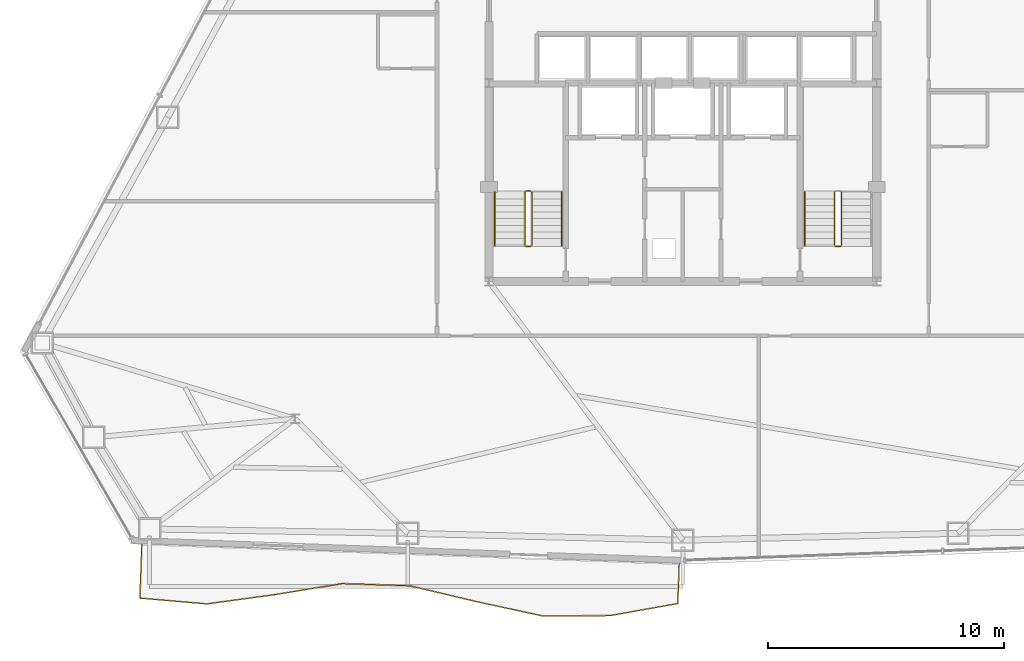
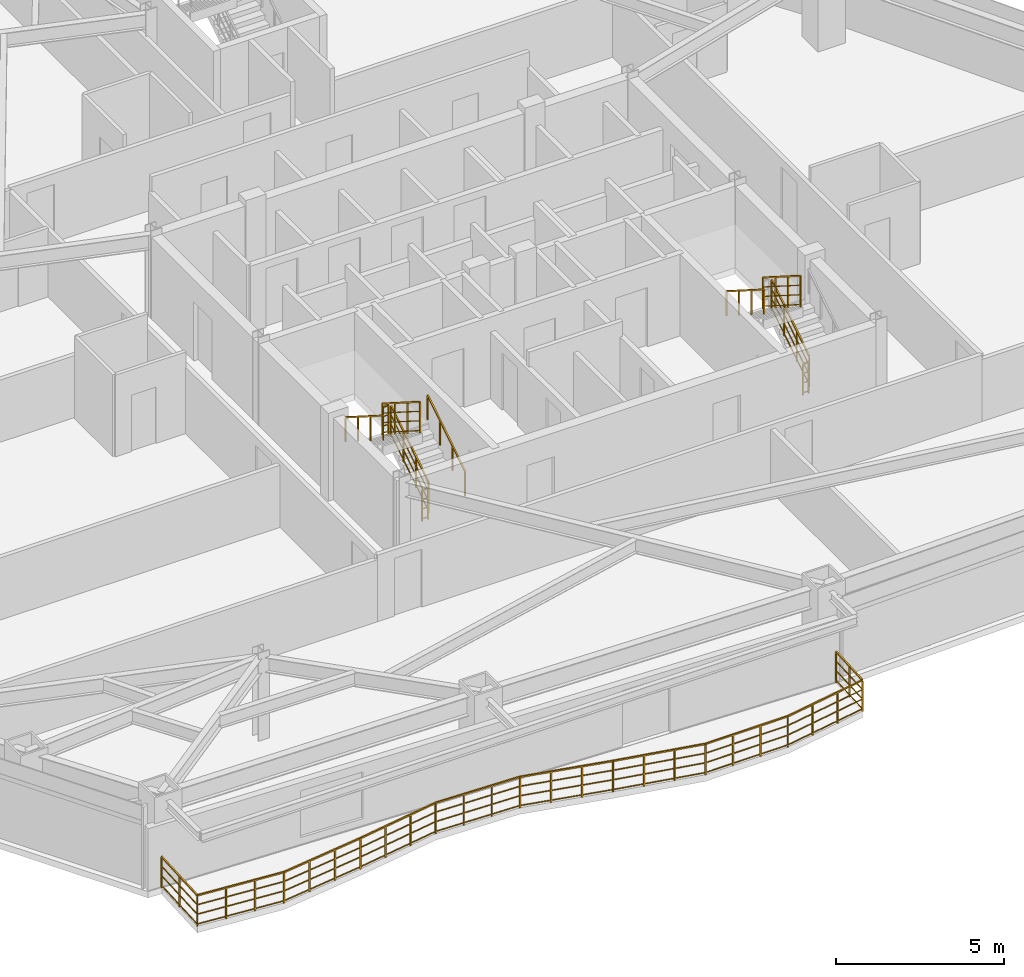
# One storey, part 12 of 13: 20 railings.
"""IFC4 building model written with IfcOpenShell, lengths in metres."""

from ifc_helpers import new_model, si_unit, direction, frame, origin, origin_2d, place, context, subcontext, project, spatial, rectangle, extrude, material, type_object, element, save


model = new_model("IFC4")

# Units and contexts
model_context = context("Model", 3, precision=1e-05, world=origin(), true_north=direction((0.0, 1.0)))
body_context = subcontext(model_context, "Body", "Model", "MODEL_VIEW")
ifc_project = project(units=[si_unit("LENGTHUNIT", "METRE"), si_unit("AREAUNIT", "SQUARE_METRE"), si_unit("VOLUMEUNIT", "CUBIC_METRE"), si_unit("PLANEANGLEUNIT", "RADIAN"), si_unit("MASSUNIT", "GRAM", prefix="KILO")], contexts=[model_context])

# Site, building, storey
site_placement = place(None, origin())
site = spatial("IfcSite", under=ifc_project, at=site_placement, CompositionType="ELEMENT")
building_placement = place(site_placement, origin())
building = spatial("IfcBuilding", under=site, at=building_placement, Name="Varakhsha Concourse Tower", CompositionType="ELEMENT")
storey_placement = place(building_placement, frame((0.0, 0.0, 95.800048828125)))
storey = spatial("IfcBuildingStorey", under=building, at=storey_placement, Name="L27", CompositionType="ELEMENT", Elevation=95.800048828125)

# Railings
ifc_material_1 = material(Name="Laminated Structural Low-Iron Glass 52 mm", Category="glass")
railing_type_1 = type_object("IfcRailingType", Name="RL-BALUSTRADE-1150", PredefinedType="BALUSTRADE", material=ifc_material_1)
railing_1_placement = place(storey_placement, frame((17.114013671875, 5.28369140625, 0.0)))
element("IfcRailing", 1, at=railing_1_placement, inside=storey, type_object=railing_type_1, Name="L27 Perimeter Safety Balustrade RL-LOG-L27-01", PredefinedType="BALUSTRADE", context=body_context, shape_type="SweptSolid", body=[
    extrude(rectangle(XDim=0.048095703125, YDim=0.048095703125, at=origin_2d()), frame((0.0, 0.0, 1.1259765625), z_axis=(-0.036499457381, -0.99933367281, 0.0), x_axis=(0.99933367281, -0.036499457381, 0.0)), (0.0, 0.0, 1.0), 2.274169921875),
    extrude(rectangle(XDim=0.028076171875, YDim=0.028076171875, at=origin_2d()), frame((0.0, 0.0, 0.080078125), z_axis=(-0.036499457381, -0.99933367281, 0.0), x_axis=(0.99933367281, -0.036499457381, 0.0)), (0.0, 0.0, 1.0), 2.274169921875),
    extrude(rectangle(XDim=0.028076171875, YDim=0.028076171875, at=origin_2d()), frame((0.0, 0.0, 0.43701171875), z_axis=(-0.036499457381, -0.99933367281, 0.0), x_axis=(0.99933367281, -0.036499457381, 0.0)), (0.0, 0.0, 1.0), 2.274169921875),
    extrude(rectangle(XDim=0.028076171875, YDim=0.028076171875, at=origin_2d()), frame((0.0, 0.0, 0.781982421875), z_axis=(-0.036499457381, -0.99933367281, 0.0), x_axis=(0.99933367281, -0.036499457381, 0.0)), (0.0, 0.0, 1.0), 2.274169921875),
    extrude(rectangle(XDim=0.0419921875, YDim=0.0419921875, at=origin_2d()), origin(), (0.0, 0.0, 1.0), 1.101806640625),
    extrude(rectangle(XDim=0.0419921875, YDim=0.0419921875, at=origin_2d()), frame((-0.04150390625, -1.13623046875, 0.0)), (0.0, 0.0, 1.0), 1.101806640625),
    extrude(rectangle(XDim=0.0419921875, YDim=0.0419921875, at=origin_2d()), frame((-0.0830078125, -2.272705078125, 0.0)), (0.0, 0.0, 1.0), 1.101806640625),
])
railing_2_placement = place(storey_placement, frame((17.031005859375, 3.010986328125, 0.0)))
element("IfcRailing", 2, at=railing_2_placement, inside=storey, type_object=railing_type_1, Name="L27 Perimeter Safety Balustrade RL-LOG-L27-02", PredefinedType="BALUSTRADE", context=body_context, shape_type="SweptSolid", body=[
    extrude(rectangle(XDim=0.048095703125, YDim=0.048095703125, at=origin_2d()), frame((0.0, 0.0, 1.1259765625), z_axis=(0.996243804592, -0.086592619848, 0.0), x_axis=(0.086592619848, 0.996243804592, 0.0)), (0.0, 0.0, 1.0), 2.84765625),
    extrude(rectangle(XDim=0.028076171875, YDim=0.028076171875, at=origin_2d()), frame((0.0, 0.0, 0.080078125), z_axis=(0.996243804592, -0.086592619848, 0.0), x_axis=(0.086592619848, 0.996243804592, 0.0)), (0.0, 0.0, 1.0), 2.84765625),
    extrude(rectangle(XDim=0.028076171875, YDim=0.028076171875, at=origin_2d()), frame((0.0, 0.0, 0.43701171875), z_axis=(0.996243804592, -0.086592619848, 0.0), x_axis=(0.086592619848, 0.996243804592, 0.0)), (0.0, 0.0, 1.0), 2.84765625),
    extrude(rectangle(XDim=0.028076171875, YDim=0.028076171875, at=origin_2d()), frame((0.0, 0.0, 0.781982421875), z_axis=(0.996243804592, -0.086592619848, 0.0), x_axis=(0.086592619848, 0.996243804592, 0.0)), (0.0, 0.0, 1.0), 2.84765625),
    extrude(rectangle(XDim=0.0419921875, YDim=0.0419921875, at=origin_2d()), origin(), (0.0, 0.0, 1.0), 1.101806640625),
    extrude(rectangle(XDim=0.0419921875, YDim=0.0419921875, at=origin_2d()), frame((0.945556640625, -0.082275390625, 0.0)), (0.0, 0.0, 1.0), 1.101806640625),
    extrude(rectangle(XDim=0.0419921875, YDim=0.0419921875, at=origin_2d()), frame((1.891357421875, -0.164306640625, 0.0)), (0.0, 0.0, 1.0), 1.101806640625),
    extrude(rectangle(XDim=0.0419921875, YDim=0.0419921875, at=origin_2d()), frame((2.8369140625, -0.24658203125, 0.0)), (0.0, 0.0, 1.0), 1.101806640625),
])
railing_3_placement = place(storey_placement, frame((19.867919921875, 2.764404296875, 0.0)))
element("IfcRailing", 3, at=railing_3_placement, inside=storey, type_object=railing_type_1, Name="L27 Perimeter Safety Balustrade RL-LOG-L27-03", PredefinedType="BALUSTRADE", context=body_context, shape_type="SweptSolid", body=[
    extrude(rectangle(XDim=0.048095703125, YDim=0.048095703125, at=origin_2d()), frame((0.0, 0.0, 1.1259765625), z_axis=(0.990834285336, 0.135083007827, 0.0), x_axis=(-0.135083007827, 0.990834285336, 0.0)), (0.0, 0.0, 1.0), 2.88623046875),
    extrude(rectangle(XDim=0.028076171875, YDim=0.028076171875, at=origin_2d()), frame((0.0, 0.0, 0.080078125), z_axis=(0.990834285336, 0.135083007827, 0.0), x_axis=(-0.135083007827, 0.990834285336, 0.0)), (0.0, 0.0, 1.0), 2.88623046875),
    extrude(rectangle(XDim=0.028076171875, YDim=0.028076171875, at=origin_2d()), frame((0.0, 0.0, 0.43701171875), z_axis=(0.990834285336, 0.135083007827, 0.0), x_axis=(-0.135083007827, 0.990834285336, 0.0)), (0.0, 0.0, 1.0), 2.88623046875),
    extrude(rectangle(XDim=0.028076171875, YDim=0.028076171875, at=origin_2d()), frame((0.0, 0.0, 0.781982421875), z_axis=(0.990834285336, 0.135083007827, 0.0), x_axis=(-0.135083007827, 0.990834285336, 0.0)), (0.0, 0.0, 1.0), 2.88623046875),
    extrude(rectangle(XDim=0.0419921875, YDim=0.0419921875, at=origin_2d()), origin(), (0.0, 0.0, 1.0), 1.101806640625),
    extrude(rectangle(XDim=0.0419921875, YDim=0.0419921875, at=origin_2d()), frame((0.953369140625, 0.1298828125, 0.0)), (0.0, 0.0, 1.0), 1.101806640625),
    extrude(rectangle(XDim=0.0419921875, YDim=0.0419921875, at=origin_2d()), frame((1.906494140625, 0.260009765625, 0.0)), (0.0, 0.0, 1.0), 1.101806640625),
    extrude(rectangle(XDim=0.0419921875, YDim=0.0419921875, at=origin_2d()), frame((2.85986328125, 0.389892578125, 0.0)), (0.0, 0.0, 1.0), 1.101806640625),
])
railing_4_placement = place(storey_placement, frame((22.727783203125, 3.154296875, 0.0)))
element("IfcRailing", 4, at=railing_4_placement, inside=storey, type_object=railing_type_1, Name="L27 Perimeter Safety Balustrade RL-LOG-L27-04", PredefinedType="BALUSTRADE", context=body_context, shape_type="SweptSolid", body=[
    extrude(rectangle(XDim=0.048095703125, YDim=0.048095703125, at=origin_2d()), frame((0.0, 0.0, 1.1259765625), z_axis=(0.986658682711, 0.162802468751, 0.0), x_axis=(-0.162802468751, 0.986658682711, 0.0)), (0.0, 0.0, 1.0), 2.90185546875),
    extrude(rectangle(XDim=0.028076171875, YDim=0.028076171875, at=origin_2d()), frame((0.0, 0.0, 0.080078125), z_axis=(0.986658682711, 0.162802468751, 0.0), x_axis=(-0.162802468751, 0.986658682711, 0.0)), (0.0, 0.0, 1.0), 2.90185546875),
    extrude(rectangle(XDim=0.028076171875, YDim=0.028076171875, at=origin_2d()), frame((0.0, 0.0, 0.43701171875), z_axis=(0.986658682711, 0.162802468751, 0.0), x_axis=(-0.162802468751, 0.986658682711, 0.0)), (0.0, 0.0, 1.0), 2.90185546875),
    extrude(rectangle(XDim=0.028076171875, YDim=0.028076171875, at=origin_2d()), frame((0.0, 0.0, 0.781982421875), z_axis=(0.986658682711, 0.162802468751, 0.0), x_axis=(-0.162802468751, 0.986658682711, 0.0)), (0.0, 0.0, 1.0), 2.90185546875),
    extrude(rectangle(XDim=0.0419921875, YDim=0.0419921875, at=origin_2d()), origin(), (0.0, 0.0, 1.0), 1.101806640625),
    extrude(rectangle(XDim=0.0419921875, YDim=0.0419921875, at=origin_2d()), frame((0.954345703125, 0.157470703125, 0.0)), (0.0, 0.0, 1.0), 1.101806640625),
    extrude(rectangle(XDim=0.0419921875, YDim=0.0419921875, at=origin_2d()), frame((1.90869140625, 0.31494140625, 0.0)), (0.0, 0.0, 1.0), 1.101806640625),
    extrude(rectangle(XDim=0.0419921875, YDim=0.0419921875, at=origin_2d()), frame((2.863037109375, 0.472412109375, 0.0)), (0.0, 0.0, 1.0), 1.101806640625),
])
railing_5_placement = place(storey_placement, frame((25.5908203125, 3.626708984375, 0.0)))
element("IfcRailing", 5, at=railing_5_placement, inside=storey, type_object=railing_type_1, Name="L27 Perimeter Safety Balustrade RL-LOG-L27-05", PredefinedType="BALUSTRADE", context=body_context, shape_type="SweptSolid", body=[
    extrude(rectangle(XDim=0.048095703125, YDim=0.048095703125, at=origin_2d()), frame((0.0, 0.0, 1.1259765625), z_axis=(0.999476180613, -0.032363009541, 0.0), x_axis=(0.032363009541, 0.999476180613, 0.0)), (0.0, 0.0, 1.0), 2.843994140625),
    extrude(rectangle(XDim=0.028076171875, YDim=0.028076171875, at=origin_2d()), frame((0.0, 0.0, 0.080078125), z_axis=(0.999476180613, -0.032363009541, 0.0), x_axis=(0.032363009541, 0.999476180613, 0.0)), (0.0, 0.0, 1.0), 2.843994140625),
    extrude(rectangle(XDim=0.028076171875, YDim=0.028076171875, at=origin_2d()), frame((0.0, 0.0, 0.43701171875), z_axis=(0.999476180613, -0.032363009541, 0.0), x_axis=(0.032363009541, 0.999476180613, 0.0)), (0.0, 0.0, 1.0), 2.843994140625),
    extrude(rectangle(XDim=0.028076171875, YDim=0.028076171875, at=origin_2d()), frame((0.0, 0.0, 0.781982421875), z_axis=(0.999476180613, -0.032363009541, 0.0), x_axis=(0.032363009541, 0.999476180613, 0.0)), (0.0, 0.0, 1.0), 2.843994140625),
    extrude(rectangle(XDim=0.0419921875, YDim=0.0419921875, at=origin_2d()), origin(), (0.0, 0.0, 1.0), 1.101806640625),
    extrude(rectangle(XDim=0.0419921875, YDim=0.0419921875, at=origin_2d()), frame((0.947509765625, -0.03076171875, 0.0)), (0.0, 0.0, 1.0), 1.101806640625),
    extrude(rectangle(XDim=0.0419921875, YDim=0.0419921875, at=origin_2d()), frame((1.89501953125, -0.061279296875, 0.0)), (0.0, 0.0, 1.0), 1.101806640625),
    extrude(rectangle(XDim=0.0419921875, YDim=0.0419921875, at=origin_2d()), frame((2.842529296875, -0.092041015625, 0.0)), (0.0, 0.0, 1.0), 1.101806640625),
])
railing_6_placement = place(storey_placement, frame((28.433349609375, 3.53466796875, 0.0)))
element("IfcRailing", 6, at=railing_6_placement, inside=storey, type_object=railing_type_1, Name="L27 Perimeter Safety Balustrade RL-LOG-L27-06", PredefinedType="BALUSTRADE", context=body_context, shape_type="SweptSolid", body=[
    extrude(rectangle(XDim=0.048095703125, YDim=0.048095703125, at=origin_2d()), frame((0.0, 0.0, 1.1259765625), z_axis=(0.972989286049, -0.230850274496, 0.0), x_axis=(0.230850274496, 0.972989286049, 0.0)), (0.0, 0.0, 1.0), 2.89990234375),
    extrude(rectangle(XDim=0.028076171875, YDim=0.028076171875, at=origin_2d()), frame((0.0, 0.0, 0.080078125), z_axis=(0.972989286049, -0.230850274496, 0.0), x_axis=(0.230850274496, 0.972989286049, 0.0)), (0.0, 0.0, 1.0), 2.89990234375),
    extrude(rectangle(XDim=0.028076171875, YDim=0.028076171875, at=origin_2d()), frame((0.0, 0.0, 0.43701171875), z_axis=(0.972989286049, -0.230850274496, 0.0), x_axis=(0.230850274496, 0.972989286049, 0.0)), (0.0, 0.0, 1.0), 2.89990234375),
    extrude(rectangle(XDim=0.028076171875, YDim=0.028076171875, at=origin_2d()), frame((0.0, 0.0, 0.781982421875), z_axis=(0.972989286049, -0.230850274496, 0.0), x_axis=(0.230850274496, 0.972989286049, 0.0)), (0.0, 0.0, 1.0), 2.89990234375),
    extrude(rectangle(XDim=0.0419921875, YDim=0.0419921875, at=origin_2d()), origin(), (0.0, 0.0, 1.0), 1.101806640625),
    extrude(rectangle(XDim=0.0419921875, YDim=0.0419921875, at=origin_2d()), frame((0.9404296875, -0.22314453125, 0.0)), (0.0, 0.0, 1.0), 1.101806640625),
    extrude(rectangle(XDim=0.0419921875, YDim=0.0419921875, at=origin_2d()), frame((1.881103515625, -0.4462890625, 0.0)), (0.0, 0.0, 1.0), 1.101806640625),
    extrude(rectangle(XDim=0.0419921875, YDim=0.0419921875, at=origin_2d()), frame((2.821533203125, -0.66943359375, 0.0)), (0.0, 0.0, 1.0), 1.101806640625),
])
railing_7_placement = place(storey_placement, frame((31.2548828125, 2.865234375, 0.0)))
element("IfcRailing", 7, at=railing_7_placement, inside=storey, type_object=railing_type_1, Name="L27 Perimeter Safety Balustrade RL-LOG-L27-07", PredefinedType="BALUSTRADE", context=body_context, shape_type="SweptSolid", body=[
    extrude(rectangle(XDim=0.048095703125, YDim=0.048095703125, at=origin_2d()), frame((0.0, 0.0, 1.1259765625), z_axis=(0.977353736247, -0.211612084355, 0.0), x_axis=(0.211612084355, 0.977353736247, 0.0)), (0.0, 0.0, 1.0), 2.888916015625),
    extrude(rectangle(XDim=0.028076171875, YDim=0.028076171875, at=origin_2d()), frame((0.0, 0.0, 0.080078125), z_axis=(0.977353736247, -0.211612084355, 0.0), x_axis=(0.211612084355, 0.977353736247, 0.0)), (0.0, 0.0, 1.0), 2.888916015625),
    extrude(rectangle(XDim=0.028076171875, YDim=0.028076171875, at=origin_2d()), frame((0.0, 0.0, 0.43701171875), z_axis=(0.977353736247, -0.211612084355, 0.0), x_axis=(0.211612084355, 0.977353736247, 0.0)), (0.0, 0.0, 1.0), 2.888916015625),
    extrude(rectangle(XDim=0.028076171875, YDim=0.028076171875, at=origin_2d()), frame((0.0, 0.0, 0.781982421875), z_axis=(0.977353736247, -0.211612084355, 0.0), x_axis=(0.211612084355, 0.977353736247, 0.0)), (0.0, 0.0, 1.0), 2.888916015625),
    extrude(rectangle(XDim=0.0419921875, YDim=0.0419921875, at=origin_2d()), origin(), (0.0, 0.0, 1.0), 1.101806640625),
    extrude(rectangle(XDim=0.0419921875, YDim=0.0419921875, at=origin_2d()), frame((0.941162109375, -0.203857421875, 0.0)), (0.0, 0.0, 1.0), 1.101806640625),
    extrude(rectangle(XDim=0.0419921875, YDim=0.0419921875, at=origin_2d()), frame((1.88232421875, -0.407470703125, 0.0)), (0.0, 0.0, 1.0), 1.101806640625),
    extrude(rectangle(XDim=0.0419921875, YDim=0.0419921875, at=origin_2d()), frame((2.823486328125, -0.611328125, 0.0)), (0.0, 0.0, 1.0), 1.101806640625),
])
railing_8_placement = place(storey_placement, frame((34.078369140625, 2.25390625, 0.0)))
element("IfcRailing", 8, at=railing_8_placement, inside=storey, type_object=railing_type_1, Name="L27 Perimeter Safety Balustrade RL-LOG-L27-08", PredefinedType="BALUSTRADE", context=body_context, shape_type="SweptSolid", body=[
    extrude(rectangle(XDim=0.048095703125, YDim=0.048095703125, at=origin_2d()), frame((0.0, 0.0, 1.1259765625), z_axis=(0.999982488064, 0.005918071162, 0.0), x_axis=(-0.005918071162, 0.999982488064, 0.0)), (0.0, 0.0, 1.0), 2.846435546875),
    extrude(rectangle(XDim=0.028076171875, YDim=0.028076171875, at=origin_2d()), frame((0.0, 0.0, 0.080078125), z_axis=(0.999982488064, 0.005918071162, 0.0), x_axis=(-0.005918071162, 0.999982488064, 0.0)), (0.0, 0.0, 1.0), 2.846435546875),
    extrude(rectangle(XDim=0.028076171875, YDim=0.028076171875, at=origin_2d()), frame((0.0, 0.0, 0.43701171875), z_axis=(0.999982488064, 0.005918071162, 0.0), x_axis=(-0.005918071162, 0.999982488064, 0.0)), (0.0, 0.0, 1.0), 2.846435546875),
    extrude(rectangle(XDim=0.028076171875, YDim=0.028076171875, at=origin_2d()), frame((0.0, 0.0, 0.781982421875), z_axis=(0.999982488064, 0.005918071162, 0.0), x_axis=(-0.005918071162, 0.999982488064, 0.0)), (0.0, 0.0, 1.0), 2.846435546875),
    extrude(rectangle(XDim=0.0419921875, YDim=0.0419921875, at=origin_2d()), origin(), (0.0, 0.0, 1.0), 1.101806640625),
    extrude(rectangle(XDim=0.0419921875, YDim=0.0419921875, at=origin_2d()), frame((0.94873046875, 0.005615234375, 0.0)), (0.0, 0.0, 1.0), 1.101806640625),
    extrude(rectangle(XDim=0.0419921875, YDim=0.0419921875, at=origin_2d()), frame((1.897705078125, 0.01123046875, 0.0)), (0.0, 0.0, 1.0), 1.101806640625),
    extrude(rectangle(XDim=0.0419921875, YDim=0.0419921875, at=origin_2d()), frame((2.846435546875, 0.016845703125, 0.0)), (0.0, 0.0, 1.0), 1.101806640625),
])
railing_9_placement = place(storey_placement, frame((36.9248046875, 2.270751953125, 0.0)))
element("IfcRailing", 9, at=railing_9_placement, inside=storey, type_object=railing_type_1, Name="L27 Perimeter Safety Balustrade RL-LOG-L27-09", PredefinedType="BALUSTRADE", context=body_context, shape_type="SweptSolid", body=[
    extrude(rectangle(XDim=0.048095703125, YDim=0.048095703125, at=origin_2d()), frame((0.0, 0.0, 1.1259765625), z_axis=(0.984529067148, 0.175221334146, 0.0), x_axis=(-0.175221334146, 0.984529067148, 0.0)), (0.0, 0.0, 1.0), 2.9091796875),
    extrude(rectangle(XDim=0.028076171875, YDim=0.028076171875, at=origin_2d()), frame((0.0, 0.0, 0.080078125), z_axis=(0.984529067148, 0.175221334146, 0.0), x_axis=(-0.175221334146, 0.984529067148, 0.0)), (0.0, 0.0, 1.0), 2.9091796875),
    extrude(rectangle(XDim=0.028076171875, YDim=0.028076171875, at=origin_2d()), frame((0.0, 0.0, 0.43701171875), z_axis=(0.984529067148, 0.175221334146, 0.0), x_axis=(-0.175221334146, 0.984529067148, 0.0)), (0.0, 0.0, 1.0), 2.9091796875),
    extrude(rectangle(XDim=0.028076171875, YDim=0.028076171875, at=origin_2d()), frame((0.0, 0.0, 0.781982421875), z_axis=(0.984529067148, 0.175221334146, 0.0), x_axis=(-0.175221334146, 0.984529067148, 0.0)), (0.0, 0.0, 1.0), 2.9091796875),
    extrude(rectangle(XDim=0.0419921875, YDim=0.0419921875, at=origin_2d()), origin(), (0.0, 0.0, 1.0), 1.101806640625),
    extrude(rectangle(XDim=0.0419921875, YDim=0.0419921875, at=origin_2d()), frame((0.954833984375, 0.169921875, 0.0)), (0.0, 0.0, 1.0), 1.101806640625),
    extrude(rectangle(XDim=0.0419921875, YDim=0.0419921875, at=origin_2d()), frame((1.909423828125, 0.33984375, 0.0)), (0.0, 0.0, 1.0), 1.101806640625),
    extrude(rectangle(XDim=0.0419921875, YDim=0.0419921875, at=origin_2d()), frame((2.8642578125, 0.509765625, 0.0)), (0.0, 0.0, 1.0), 1.101806640625),
])
railing_10_placement = place(storey_placement, frame((39.7890625, 2.780517578125, 0.0)))
element("IfcRailing", 10, at=railing_10_placement, inside=storey, type_object=railing_type_1, Name="L27 Perimeter Safety Balustrade RL-LOG-L27-10", PredefinedType="BALUSTRADE", context=body_context, shape_type="SweptSolid", body=[
    extrude(rectangle(XDim=0.048095703125, YDim=0.048095703125, at=origin_2d()), frame((0.0, 0.0, 1.1259765625), z_axis=(0.036424275256, 0.999336415914, 0.0), x_axis=(-0.999336415914, 0.036424275256, 0.0)), (0.0, 0.0, 1.0), 1.67578125),
    extrude(rectangle(XDim=0.028076171875, YDim=0.028076171875, at=origin_2d()), frame((0.0, 0.0, 0.080078125), z_axis=(0.036424275256, 0.999336415914, 0.0), x_axis=(-0.999336415914, 0.036424275256, 0.0)), (0.0, 0.0, 1.0), 1.67578125),
    extrude(rectangle(XDim=0.028076171875, YDim=0.028076171875, at=origin_2d()), frame((0.0, 0.0, 0.43701171875), z_axis=(0.036424275256, 0.999336415914, 0.0), x_axis=(-0.999336415914, 0.036424275256, 0.0)), (0.0, 0.0, 1.0), 1.67578125),
    extrude(rectangle(XDim=0.028076171875, YDim=0.028076171875, at=origin_2d()), frame((0.0, 0.0, 0.781982421875), z_axis=(0.036424275256, 0.999336415914, 0.0), x_axis=(-0.999336415914, 0.036424275256, 0.0)), (0.0, 0.0, 1.0), 1.67578125),
    extrude(rectangle(XDim=0.0419921875, YDim=0.0419921875, at=origin_2d()), origin(), (0.0, 0.0, 1.0), 1.101806640625),
    extrude(rectangle(XDim=0.0419921875, YDim=0.0419921875, at=origin_2d()), frame((0.030517578125, 0.83740234375, 0.0)), (0.0, 0.0, 1.0), 1.101806640625),
    extrude(rectangle(XDim=0.0419921875, YDim=0.0419921875, at=origin_2d()), frame((0.06103515625, 1.674560546875, 0.0)), (0.0, 0.0, 1.0), 1.101806640625),
])
ifc_material_2 = material(Name="Brushed Austenitic Stainless Steel AISI 316", Category="steel")
railing_type_2 = type_object("IfcRailingType", Name="RL-STAIR-GUARD-1100", PredefinedType="GUARDRAIL", material=ifc_material_2)
railing_11_placement = place(storey_placement, frame((33.610107421875, 17.93994140625, 0.177734375)))
element("IfcRailing", 11, at=railing_11_placement, inside=storey, type_object=railing_type_2, Name="L27 ST1 stair guard 1", PredefinedType="GUARDRAIL", context=body_context, shape_type="SweptSolid", body=[
    extrude(rectangle(XDim=0.048095703125, YDim=0.048095703125, at=origin_2d()), frame((0.0, 0.0, 1.1259765625), z_axis=(0.0, 0.8442293374, 0.53598211339), x_axis=(-1.0, 0.0, 0.0)), (0.0, 0.0, 1.0), 2.6533203125),
    extrude(rectangle(XDim=0.028076171875, YDim=0.028076171875, at=origin_2d()), frame((0.0, 0.0, 0.080078125), z_axis=(0.0, 0.8442293374, 0.53598211339), x_axis=(-1.0, 0.0, 0.0)), (0.0, 0.0, 1.0), 2.6533203125),
    extrude(rectangle(XDim=0.028076171875, YDim=0.028076171875, at=origin_2d()), frame((0.0, 0.0, 0.43701171875), z_axis=(0.0, 0.8442293374, 0.53598211339), x_axis=(-1.0, 0.0, 0.0)), (0.0, 0.0, 1.0), 2.6533203125),
    extrude(rectangle(XDim=0.028076171875, YDim=0.028076171875, at=origin_2d()), frame((0.0, 0.0, 0.781982421875), z_axis=(0.0, 0.8442293374, 0.53598211339), x_axis=(-1.0, 0.0, 0.0)), (0.0, 0.0, 1.0), 2.6533203125),
    extrude(rectangle(XDim=0.0419921875, YDim=0.0419921875, at=origin_2d()), origin(), (0.0, 0.0, 1.0), 1.101806640625),
    extrude(rectangle(XDim=0.0419921875, YDim=0.0419921875, at=origin_2d()), frame((0.0, 0.74658203125, 0.47412109375)), (0.0, 0.0, 1.0), 1.101806640625),
    extrude(rectangle(XDim=0.0419921875, YDim=0.0419921875, at=origin_2d()), frame((0.0, 1.493408203125, 0.947998046875)), (0.0, 0.0, 1.0), 1.101806640625),
    extrude(rectangle(XDim=0.0419921875, YDim=0.0419921875, at=origin_2d()), frame((0.0, 2.239990234375, 1.422119140625)), (0.0, 0.0, 1.0), 1.101806640625),
])
railing_12_placement = place(storey_placement, frame((33.56005859375, 20.22998046875, 1.599853515625)))
element("IfcRailing", 12, at=railing_12_placement, inside=storey, type_object=railing_type_2, Name="L27 ST1 stair guard 2", PredefinedType="GUARDRAIL", context=body_context, shape_type="SweptSolid", body=[
    extrude(rectangle(XDim=0.048095703125, YDim=0.048095703125, at=origin_2d()), frame((0.0, 0.0, 1.1259765625), z_axis=(-1.0, 0.0, 0.0), x_axis=(0.0, -1.0, 0.0)), (0.0, 0.0, 1.0), 0.199951171875),
    extrude(rectangle(XDim=0.028076171875, YDim=0.028076171875, at=origin_2d()), frame((0.0, 0.0, 0.080078125), z_axis=(-1.0, 0.0, 0.0), x_axis=(0.0, -1.0, 0.0)), (0.0, 0.0, 1.0), 0.199951171875),
    extrude(rectangle(XDim=0.028076171875, YDim=0.028076171875, at=origin_2d()), frame((0.0, 0.0, 0.43701171875), z_axis=(-1.0, 0.0, 0.0), x_axis=(0.0, -1.0, 0.0)), (0.0, 0.0, 1.0), 0.199951171875),
    extrude(rectangle(XDim=0.028076171875, YDim=0.028076171875, at=origin_2d()), frame((0.0, 0.0, 0.781982421875), z_axis=(-1.0, 0.0, 0.0), x_axis=(0.0, -1.0, 0.0)), (0.0, 0.0, 1.0), 0.199951171875),
    extrude(rectangle(XDim=0.0419921875, YDim=0.0419921875, at=origin_2d()), origin(), (0.0, 0.0, 1.0), 1.101806640625),
    extrude(rectangle(XDim=0.0419921875, YDim=0.0419921875, at=origin_2d()), frame((-0.199951171875, 0.0, 0.0)), (0.0, 0.0, 1.0), 1.101806640625),
])
railing_13_placement = place(storey_placement, frame((33.31005859375, 20.179931640625, 1.77783203125)))
element("IfcRailing", 13, at=railing_13_placement, inside=storey, type_object=railing_type_2, Name="L27 ST1 stair guard 3", PredefinedType="GUARDRAIL", context=body_context, shape_type="SweptSolid", body=[
    extrude(rectangle(XDim=0.048095703125, YDim=0.048095703125, at=origin_2d()), frame((0.0, 0.0, 1.1259765625), z_axis=(0.0, -0.8442293374, 0.53598211339), x_axis=(1.0, 0.0, 0.0)), (0.0, 0.0, 1.0), 2.6533203125),
    extrude(rectangle(XDim=0.028076171875, YDim=0.028076171875, at=origin_2d()), frame((0.0, 0.0, 0.080078125), z_axis=(0.0, -0.8442293374, 0.53598211339), x_axis=(1.0, 0.0, 0.0)), (0.0, 0.0, 1.0), 2.6533203125),
    extrude(rectangle(XDim=0.028076171875, YDim=0.028076171875, at=origin_2d()), frame((0.0, 0.0, 0.43701171875), z_axis=(0.0, -0.8442293374, 0.53598211339), x_axis=(1.0, 0.0, 0.0)), (0.0, 0.0, 1.0), 2.6533203125),
    extrude(rectangle(XDim=0.028076171875, YDim=0.028076171875, at=origin_2d()), frame((0.0, 0.0, 0.781982421875), z_axis=(0.0, -0.8442293374, 0.53598211339), x_axis=(1.0, 0.0, 0.0)), (0.0, 0.0, 1.0), 2.6533203125),
    extrude(rectangle(XDim=0.0419921875, YDim=0.0419921875, at=origin_2d()), origin(), (0.0, 0.0, 1.0), 1.101806640625),
    extrude(rectangle(XDim=0.0419921875, YDim=0.0419921875, at=origin_2d()), frame((0.0, -0.74658203125, 0.47412109375)), (0.0, 0.0, 1.0), 1.101806640625),
    extrude(rectangle(XDim=0.0419921875, YDim=0.0419921875, at=origin_2d()), frame((0.0, -1.493408203125, 0.947998046875)), (0.0, 0.0, 1.0), 1.101806640625),
    extrude(rectangle(XDim=0.0419921875, YDim=0.0419921875, at=origin_2d()), frame((0.0, -2.239990234375, 1.422119140625)), (0.0, 0.0, 1.0), 1.101806640625),
])
railing_14_placement = place(storey_placement, frame((33.56005859375, 17.889892578125, 0.0)))
element("IfcRailing", 14, at=railing_14_placement, inside=storey, type_object=railing_type_2, Name="L27 ST1 stair guard 4", PredefinedType="GUARDRAIL", context=body_context, shape_type="SweptSolid", body=[
    extrude(rectangle(XDim=0.048095703125, YDim=0.048095703125, at=origin_2d()), frame((0.0, 0.0, 1.1259765625), z_axis=(-1.0, 0.0, 0.0), x_axis=(0.0, -1.0, 0.0)), (0.0, 0.0, 1.0), 0.199951171875),
    extrude(rectangle(XDim=0.028076171875, YDim=0.028076171875, at=origin_2d()), frame((0.0, 0.0, 0.080078125), z_axis=(-1.0, 0.0, 0.0), x_axis=(0.0, -1.0, 0.0)), (0.0, 0.0, 1.0), 0.199951171875),
    extrude(rectangle(XDim=0.028076171875, YDim=0.028076171875, at=origin_2d()), frame((0.0, 0.0, 0.43701171875), z_axis=(-1.0, 0.0, 0.0), x_axis=(0.0, -1.0, 0.0)), (0.0, 0.0, 1.0), 0.199951171875),
    extrude(rectangle(XDim=0.028076171875, YDim=0.028076171875, at=origin_2d()), frame((0.0, 0.0, 0.781982421875), z_axis=(-1.0, 0.0, 0.0), x_axis=(0.0, -1.0, 0.0)), (0.0, 0.0, 1.0), 0.199951171875),
    extrude(rectangle(XDim=0.0419921875, YDim=0.0419921875, at=origin_2d()), origin(), (0.0, 0.0, 1.0), 1.101806640625),
    extrude(rectangle(XDim=0.0419921875, YDim=0.0419921875, at=origin_2d()), frame((-0.199951171875, 0.0, 0.0)), (0.0, 0.0, 1.0), 1.101806640625),
])
railing_15_placement = place(storey_placement, frame((46.7099609375, 17.93994140625, 0.177734375)))
element("IfcRailing", 15, at=railing_15_placement, inside=storey, type_object=railing_type_2, Name="L27 ST2 stair guard 1", PredefinedType="GUARDRAIL", context=body_context, shape_type="SweptSolid", body=[
    extrude(rectangle(XDim=0.048095703125, YDim=0.048095703125, at=origin_2d()), frame((0.0, 0.0, 1.1259765625), z_axis=(0.0, 0.8442293374, 0.53598211339), x_axis=(-1.0, 0.0, 0.0)), (0.0, 0.0, 1.0), 2.6533203125),
    extrude(rectangle(XDim=0.028076171875, YDim=0.028076171875, at=origin_2d()), frame((0.0, 0.0, 0.080078125), z_axis=(0.0, 0.8442293374, 0.53598211339), x_axis=(-1.0, 0.0, 0.0)), (0.0, 0.0, 1.0), 2.6533203125),
    extrude(rectangle(XDim=0.028076171875, YDim=0.028076171875, at=origin_2d()), frame((0.0, 0.0, 0.43701171875), z_axis=(0.0, 0.8442293374, 0.53598211339), x_axis=(-1.0, 0.0, 0.0)), (0.0, 0.0, 1.0), 2.6533203125),
    extrude(rectangle(XDim=0.028076171875, YDim=0.028076171875, at=origin_2d()), frame((0.0, 0.0, 0.781982421875), z_axis=(0.0, 0.8442293374, 0.53598211339), x_axis=(-1.0, 0.0, 0.0)), (0.0, 0.0, 1.0), 2.6533203125),
    extrude(rectangle(XDim=0.0419921875, YDim=0.0419921875, at=origin_2d()), origin(), (0.0, 0.0, 1.0), 1.101806640625),
    extrude(rectangle(XDim=0.0419921875, YDim=0.0419921875, at=origin_2d()), frame((0.0, 0.74658203125, 0.47412109375)), (0.0, 0.0, 1.0), 1.101806640625),
    extrude(rectangle(XDim=0.0419921875, YDim=0.0419921875, at=origin_2d()), frame((0.0, 1.493408203125, 0.947998046875)), (0.0, 0.0, 1.0), 1.101806640625),
    extrude(rectangle(XDim=0.0419921875, YDim=0.0419921875, at=origin_2d()), frame((0.0, 2.239990234375, 1.422119140625)), (0.0, 0.0, 1.0), 1.101806640625),
])
railing_16_placement = place(storey_placement, frame((46.409912109375, 20.179931640625, 1.77783203125)))
element("IfcRailing", 16, at=railing_16_placement, inside=storey, type_object=railing_type_2, Name="L27 ST2 stair guard 3", PredefinedType="GUARDRAIL", context=body_context, shape_type="SweptSolid", body=[
    extrude(rectangle(XDim=0.048095703125, YDim=0.048095703125, at=origin_2d()), frame((0.0, 0.0, 1.1259765625), z_axis=(0.0, -0.8442293374, 0.53598211339), x_axis=(1.0, 0.0, 0.0)), (0.0, 0.0, 1.0), 2.6533203125),
    extrude(rectangle(XDim=0.028076171875, YDim=0.028076171875, at=origin_2d()), frame((0.0, 0.0, 0.080078125), z_axis=(0.0, -0.8442293374, 0.53598211339), x_axis=(1.0, 0.0, 0.0)), (0.0, 0.0, 1.0), 2.6533203125),
    extrude(rectangle(XDim=0.028076171875, YDim=0.028076171875, at=origin_2d()), frame((0.0, 0.0, 0.43701171875), z_axis=(0.0, -0.8442293374, 0.53598211339), x_axis=(1.0, 0.0, 0.0)), (0.0, 0.0, 1.0), 2.6533203125),
    extrude(rectangle(XDim=0.028076171875, YDim=0.028076171875, at=origin_2d()), frame((0.0, 0.0, 0.781982421875), z_axis=(0.0, -0.8442293374, 0.53598211339), x_axis=(1.0, 0.0, 0.0)), (0.0, 0.0, 1.0), 2.6533203125),
    extrude(rectangle(XDim=0.0419921875, YDim=0.0419921875, at=origin_2d()), origin(), (0.0, 0.0, 1.0), 1.101806640625),
    extrude(rectangle(XDim=0.0419921875, YDim=0.0419921875, at=origin_2d()), frame((0.0, -0.74658203125, 0.47412109375)), (0.0, 0.0, 1.0), 1.101806640625),
    extrude(rectangle(XDim=0.0419921875, YDim=0.0419921875, at=origin_2d()), frame((0.0, -1.493408203125, 0.947998046875)), (0.0, 0.0, 1.0), 1.101806640625),
    extrude(rectangle(XDim=0.0419921875, YDim=0.0419921875, at=origin_2d()), frame((0.0, -2.239990234375, 1.422119140625)), (0.0, 0.0, 1.0), 1.101806640625),
])
railing_17_placement = place(storey_placement, frame((46.659912109375, 17.889892578125, 0.0)))
element("IfcRailing", 17, at=railing_17_placement, inside=storey, type_object=railing_type_2, Name="L27 ST2 stair guard 4", PredefinedType="GUARDRAIL", context=body_context, shape_type="SweptSolid", body=[
    extrude(rectangle(XDim=0.048095703125, YDim=0.048095703125, at=origin_2d()), frame((0.0, 0.0, 1.1259765625), z_axis=(-1.0, 0.0, 0.0), x_axis=(0.0, -1.0, 0.0)), (0.0, 0.0, 1.0), 0.199951171875),
    extrude(rectangle(XDim=0.028076171875, YDim=0.028076171875, at=origin_2d()), frame((0.0, 0.0, 0.080078125), z_axis=(-1.0, 0.0, 0.0), x_axis=(0.0, -1.0, 0.0)), (0.0, 0.0, 1.0), 0.199951171875),
    extrude(rectangle(XDim=0.028076171875, YDim=0.028076171875, at=origin_2d()), frame((0.0, 0.0, 0.43701171875), z_axis=(-1.0, 0.0, 0.0), x_axis=(0.0, -1.0, 0.0)), (0.0, 0.0, 1.0), 0.199951171875),
    extrude(rectangle(XDim=0.028076171875, YDim=0.028076171875, at=origin_2d()), frame((0.0, 0.0, 0.781982421875), z_axis=(-1.0, 0.0, 0.0), x_axis=(0.0, -1.0, 0.0)), (0.0, 0.0, 1.0), 0.199951171875),
    extrude(rectangle(XDim=0.0419921875, YDim=0.0419921875, at=origin_2d()), origin(), (0.0, 0.0, 1.0), 1.101806640625),
    extrude(rectangle(XDim=0.0419921875, YDim=0.0419921875, at=origin_2d()), frame((-0.199951171875, 0.0, 0.0)), (0.0, 0.0, 1.0), 1.101806640625),
])
railing_type_3 = type_object("IfcRailingType", Name="RL-STAIR-RAIL-915", PredefinedType="HANDRAIL", material=ifc_material_2)
railing_18_placement = place(storey_placement, frame((34.8701171875, 17.93994140625, 0.35546875)))
element("IfcRailing", 18, at=railing_18_placement, inside=storey, type_object=railing_type_3, Name="L27 ST1 stair handrail 1", PredefinedType="HANDRAIL", context=body_context, shape_type="SweptSolid", body=[
    extrude(rectangle(XDim=0.048095703125, YDim=0.048095703125, at=origin_2d()), frame((0.0, 0.0, 0.89111328125), z_axis=(0.0, 0.84418770128, 0.536047689118), x_axis=(-1.0, 0.0, 0.0)), (0.0, 0.0, 1.0), 2.6533203125),
    extrude(rectangle(XDim=0.0419921875, YDim=0.0419921875, at=origin_2d()), origin(), (0.0, 0.0, 1.0), 0.866943359375),
    extrude(rectangle(XDim=0.0419921875, YDim=0.0419921875, at=origin_2d()), frame((0.0, 0.74658203125, 0.47412109375)), (0.0, 0.0, 1.0), 0.866943359375),
    extrude(rectangle(XDim=0.0419921875, YDim=0.0419921875, at=origin_2d()), frame((0.0, 1.493408203125, 0.9482421875)), (0.0, 0.0, 1.0), 0.866943359375),
    extrude(rectangle(XDim=0.0419921875, YDim=0.0419921875, at=origin_2d()), frame((0.0, 2.239990234375, 1.42236328125)), (0.0, 0.0, 1.0), 0.866943359375),
])
for number, where, name in (
    (19, (32.050048828125, 20.179931640625, 1.95556640625), "L27 ST1 stair handrail 2"),
    (20, (45.14990234375, 20.179931640625, 1.95556640625), "L27 ST2 stair handrail 2"),
):
    element("IfcRailing", number, at=place(storey_placement, frame(where)), inside=storey, type_object=railing_type_3, Name=name, PredefinedType="HANDRAIL", context=body_context, shape_type="SweptSolid", body=[
        extrude(rectangle(XDim=0.048095703125, YDim=0.048095703125, at=origin_2d()), frame((0.0, 0.0, 0.89111328125), z_axis=(0.0, -0.8442293374, 0.53598211339), x_axis=(1.0, 0.0, 0.0)), (0.0, 0.0, 1.0), 2.6533203125),
        extrude(rectangle(XDim=0.0419921875, YDim=0.0419921875, at=origin_2d()), origin(), (0.0, 0.0, 1.0), 0.866943359375),
        extrude(rectangle(XDim=0.0419921875, YDim=0.0419921875, at=origin_2d()), frame((0.0, -0.74658203125, 0.47412109375)), (0.0, 0.0, 1.0), 0.866943359375),
        extrude(rectangle(XDim=0.0419921875, YDim=0.0419921875, at=origin_2d()), frame((0.0, -1.493408203125, 0.947998046875)), (0.0, 0.0, 1.0), 0.866943359375),
        extrude(rectangle(XDim=0.0419921875, YDim=0.0419921875, at=origin_2d()), frame((0.0, -2.239990234375, 1.422119140625)), (0.0, 0.0, 1.0), 0.866943359375),
    ])

save(model, "model.ifc")
